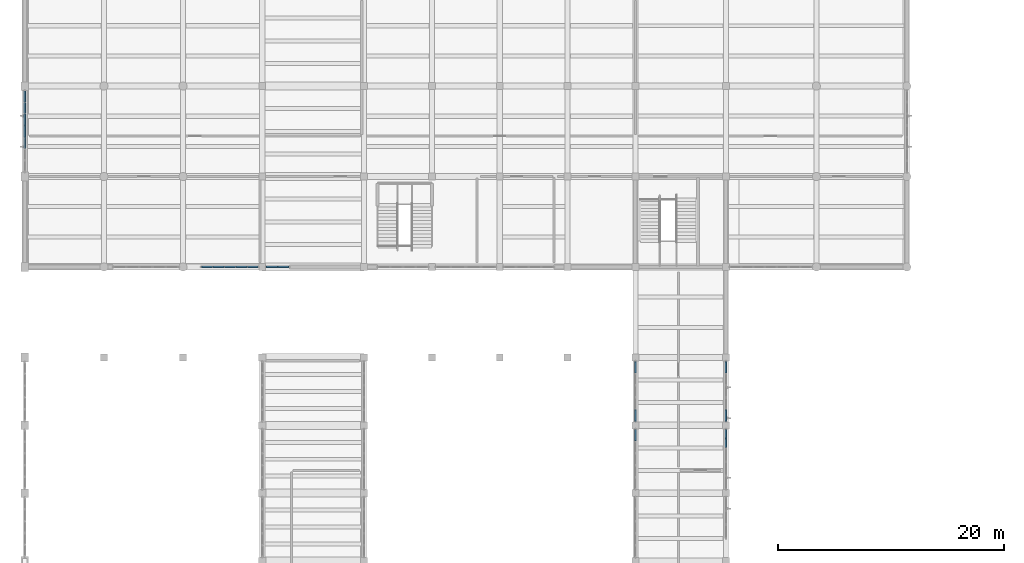
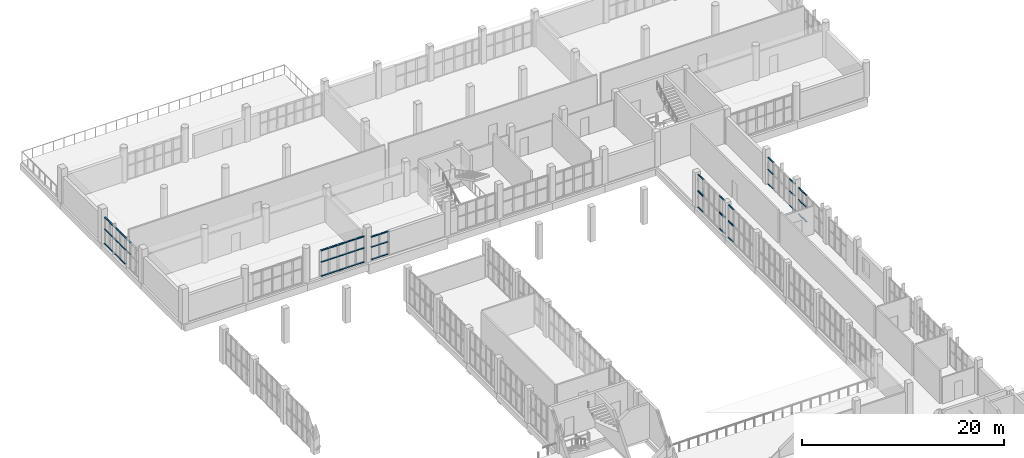
# One storey, part 40 of 85: 59 members, 9 elements without a shape of their own.
"""IFC4 building model written with IfcOpenShell, lengths in metres."""

from ifc_helpers import new_model, si_unit, direction, frame, origin, origin_2d, place, context, subcontext, project, spatial, rectangle, extrude, material, layer, layer_set, material_profile, profile_set, type_object, element, aggregate, save


model = new_model("IFC4")

# Units and contexts
model_context = context("Model", 3, precision=1e-05, world=origin(), true_north=direction((0.0, 1.0)))
body_context = subcontext(model_context, "Body", "Model", "MODEL_VIEW")
ifc_project = project(units=[si_unit("LENGTHUNIT", "METRE"), si_unit("AREAUNIT", "SQUARE_METRE"), si_unit("VOLUMEUNIT", "CUBIC_METRE"), si_unit("PLANEANGLEUNIT", "RADIAN"), si_unit("MASSUNIT", "GRAM", prefix="KILO")], contexts=[model_context])

# Site, building, storey
site_placement = place(None, origin())
site = spatial("IfcSite", under=ifc_project, at=site_placement, CompositionType="ELEMENT")
building_placement = place(site_placement, origin())
building = spatial("IfcBuilding", under=site, at=building_placement, Name="Solvane Community Centre", CompositionType="ELEMENT")
storey_placement = place(building_placement, frame((0.0, 0.0, 5.39990234375)))
storey = spatial("IfcBuildingStorey", under=building, at=storey_placement, Name="L01", CompositionType="ELEMENT", Elevation=5.39990234375)

# Curtain wall, members
ifc_material = material(Name="Anodised bronze aluminium AW-6063 T6", Category="aluminium")
ifc_layer_1 = layer(ifc_material, 0.18994140625)
ifc_layer_set_1 = layer_set([ifc_layer_1], Name="Anodised bronze aluminium AW-6063 T6")
curtain_wall_type_1 = type_object("IfcCurtainWallType", Name="Boulevard Bronze Vision Curtain Wall [72x32dm]", PredefinedType="NOTDEFINED", material=ifc_layer_set_1)
curtain_wall_1_placement = place(storey_placement, origin())
curtain_wall_1 = element("IfcCurtainWall", 1, at=curtain_wall_1_placement, inside=storey, type_object=curtain_wall_type_1, Name="Curtain Wall CW-L01-60_944-085", PredefinedType="NOTDEFINED")
ifc_material_profile_1 = material_profile(ifc_material, rectangle(XDim=0.14990234375, YDim=0.06005859375, at=origin_2d()), Name="CW-T 60x150")
ifc_profile_set_1 = profile_set([ifc_material_profile_1], Name="Anodised bronze aluminium AW-6063 T6")
member_type_1 = type_object("IfcMemberType", Name="Boulevard Transom 60x150", PredefinedType="USERDEFINED", material=ifc_profile_set_1)
member_1_placement = place(storey_placement, frame((6.0, 96.485107421875, 1.774169921875), z_axis=(0.0, 1.0, 0.0), x_axis=(-1.0, 0.0, 0.0)))
member_1 = element("IfcMember", 2, at=member_1_placement, type_object=member_type_1, Name="CW02-72x32 transom 3.2", ObjectType="TRANSOM", PredefinedType="USERDEFINED", context=body_context, shape_type="SweptSolid", body=[
    extrude(rectangle(XDim=0.14990234375, YDim=0.06005859375, at=origin_2d()), origin(), (0.0, 0.0, 1.0), 0.969970703125),
])
member_2_placement = place(storey_placement, frame((6.0, 96.485107421875, 3.195068359375), z_axis=(0.0, 1.0, 0.0), x_axis=(-1.0, 0.0, 0.0)))
member_2 = element("IfcMember", 3, at=member_2_placement, type_object=member_type_1, Name="CW02-72x32 transom 3.3", ObjectType="TRANSOM", PredefinedType="USERDEFINED", context=body_context, shape_type="SweptSolid", body=[
    extrude(rectangle(XDim=0.14990234375, YDim=0.06005859375, at=origin_2d()), origin(), (0.0, 0.0, 1.0), 0.969970703125),
])
member_3_placement = place(storey_placement, frame((6.0, 97.514892578125, 0.030029296875), z_axis=(0.0, 1.0, 0.0), x_axis=(-1.0, 0.0, 0.0)))
member_3 = element("IfcMember", 4, at=member_3_placement, type_object=member_type_1, Name="CW02-72x32 transom 4.1", ObjectType="TRANSOM", PredefinedType="USERDEFINED", context=body_context, shape_type="SweptSolid", body=[
    extrude(rectangle(XDim=0.14990234375, YDim=0.06005859375, at=origin_2d()), origin(), (0.0, 0.0, 1.0), 0.97021484375),
])
member_4_placement = place(storey_placement, frame((6.0, 97.514892578125, 1.774169921875), z_axis=(0.0, 1.0, 0.0), x_axis=(-1.0, 0.0, 0.0)))
member_4 = element("IfcMember", 5, at=member_4_placement, type_object=member_type_1, Name="CW02-72x32 transom 4.2", ObjectType="TRANSOM", PredefinedType="USERDEFINED", context=body_context, shape_type="SweptSolid", body=[
    extrude(rectangle(XDim=0.14990234375, YDim=0.06005859375, at=origin_2d()), origin(), (0.0, 0.0, 1.0), 0.97021484375),
])
member_5_placement = place(storey_placement, frame((6.0, 97.514892578125, 3.195068359375), z_axis=(0.0, 1.0, 0.0), x_axis=(-1.0, 0.0, 0.0)))
member_5 = element("IfcMember", 6, at=member_5_placement, type_object=member_type_1, Name="CW02-72x32 transom 4.3", ObjectType="TRANSOM", PredefinedType="USERDEFINED", context=body_context, shape_type="SweptSolid", body=[
    extrude(rectangle(XDim=0.14990234375, YDim=0.06005859375, at=origin_2d()), origin(), (0.0, 0.0, 1.0), 0.97021484375),
])
member_6_placement = place(storey_placement, frame((6.0, 98.544921875, 0.030029296875), z_axis=(0.0, 1.0, 0.0), x_axis=(-1.0, 0.0, 0.0)))
member_6 = element("IfcMember", 7, at=member_6_placement, type_object=member_type_1, Name="CW02-72x32 transom 5.1", ObjectType="TRANSOM", PredefinedType="USERDEFINED", context=body_context, shape_type="SweptSolid", body=[
    extrude(rectangle(XDim=0.14990234375, YDim=0.06005859375, at=origin_2d()), origin(), (0.0, 0.0, 1.0), 0.969970703125),
])
member_7_placement = place(storey_placement, frame((6.0, 98.544921875, 1.774169921875), z_axis=(0.0, 1.0, 0.0), x_axis=(-1.0, 0.0, 0.0)))
member_7 = element("IfcMember", 8, at=member_7_placement, type_object=member_type_1, Name="CW02-72x32 transom 5.2", ObjectType="TRANSOM", PredefinedType="USERDEFINED", context=body_context, shape_type="SweptSolid", body=[
    extrude(rectangle(XDim=0.14990234375, YDim=0.06005859375, at=origin_2d()), origin(), (0.0, 0.0, 1.0), 0.969970703125),
])
member_8_placement = place(storey_placement, frame((6.0, 98.544921875, 3.195068359375), z_axis=(0.0, 1.0, 0.0), x_axis=(-1.0, 0.0, 0.0)))
member_8 = element("IfcMember", 9, at=member_8_placement, type_object=member_type_1, Name="CW02-72x32 transom 5.3", ObjectType="TRANSOM", PredefinedType="USERDEFINED", context=body_context, shape_type="SweptSolid", body=[
    extrude(rectangle(XDim=0.14990234375, YDim=0.06005859375, at=origin_2d()), origin(), (0.0, 0.0, 1.0), 0.969970703125),
])
member_9_placement = place(storey_placement, frame((6.0, 99.574951171875, 0.030029296875), z_axis=(0.0, 1.0, 0.0), x_axis=(-1.0, 0.0, 0.0)))
member_9 = element("IfcMember", 10, at=member_9_placement, type_object=member_type_1, Name="CW02-72x32 transom 6.1", ObjectType="TRANSOM", PredefinedType="USERDEFINED", context=body_context, shape_type="SweptSolid", body=[
    extrude(rectangle(XDim=0.14990234375, YDim=0.06005859375, at=origin_2d()), origin(), (0.0, 0.0, 1.0), 0.969970703125),
])
member_10_placement = place(storey_placement, frame((6.0, 99.574951171875, 1.774169921875), z_axis=(0.0, 1.0, 0.0), x_axis=(-1.0, 0.0, 0.0)))
member_10 = element("IfcMember", 11, at=member_10_placement, type_object=member_type_1, Name="CW02-72x32 transom 6.2", ObjectType="TRANSOM", PredefinedType="USERDEFINED", context=body_context, shape_type="SweptSolid", body=[
    extrude(rectangle(XDim=0.14990234375, YDim=0.06005859375, at=origin_2d()), origin(), (0.0, 0.0, 1.0), 0.969970703125),
])
member_11_placement = place(storey_placement, frame((6.0, 99.574951171875, 3.195068359375), z_axis=(0.0, 1.0, 0.0), x_axis=(-1.0, 0.0, 0.0)))
member_11 = element("IfcMember", 12, at=member_11_placement, type_object=member_type_1, Name="CW02-72x32 transom 6.3", ObjectType="TRANSOM", PredefinedType="USERDEFINED", context=body_context, shape_type="SweptSolid", body=[
    extrude(rectangle(XDim=0.14990234375, YDim=0.06005859375, at=origin_2d()), origin(), (0.0, 0.0, 1.0), 0.969970703125),
])
member_12_placement = place(storey_placement, frame((6.0, 100.60498046875, 0.030029296875), z_axis=(0.0, 1.0, 0.0), x_axis=(-1.0, 0.0, 0.0)))
member_12 = element("IfcMember", 13, at=member_12_placement, type_object=member_type_1, Name="CW02-72x32 transom 7.1", ObjectType="TRANSOM", PredefinedType="USERDEFINED", context=body_context, shape_type="SweptSolid", body=[
    extrude(rectangle(XDim=0.14990234375, YDim=0.06005859375, at=origin_2d()), origin(), (0.0, 0.0, 1.0), 0.93994140625),
])
member_13_placement = place(storey_placement, frame((6.0, 100.60498046875, 1.774169921875), z_axis=(0.0, 1.0, 0.0), x_axis=(-1.0, 0.0, 0.0)))
member_13 = element("IfcMember", 14, at=member_13_placement, type_object=member_type_1, Name="CW02-72x32 transom 7.2", ObjectType="TRANSOM", PredefinedType="USERDEFINED", context=body_context, shape_type="SweptSolid", body=[
    extrude(rectangle(XDim=0.14990234375, YDim=0.06005859375, at=origin_2d()), origin(), (0.0, 0.0, 1.0), 0.93994140625),
])
member_14_placement = place(storey_placement, frame((6.0, 100.60498046875, 3.195068359375), z_axis=(0.0, 1.0, 0.0), x_axis=(-1.0, 0.0, 0.0)))
member_14 = element("IfcMember", 15, at=member_14_placement, type_object=member_type_1, Name="CW02-72x32 transom 7.3", ObjectType="TRANSOM", PredefinedType="USERDEFINED", context=body_context, shape_type="SweptSolid", body=[
    extrude(rectangle(XDim=0.14990234375, YDim=0.06005859375, at=origin_2d()), origin(), (0.0, 0.0, 1.0), 0.93994140625),
])
aggregate(curtain_wall_1, [member_1, member_2, member_3, member_4, member_5, member_6, member_7, member_8, member_9, member_10, member_11, member_12, member_13, member_14])

ifc_layer_2 = layer(ifc_material, 0.18994140625)
ifc_layer_set_2 = layer_set([ifc_layer_2], Name="Anodised bronze aluminium AW-6063 T6")
curtain_wall_type_2 = type_object("IfcCurtainWallType", Name="Boulevard Bronze Vision Curtain Wall [21x28dm]", PredefinedType="NOTDEFINED", material=ifc_layer_set_2)
curtain_wall_2_placement = place(storey_placement, origin())
curtain_wall_2 = element("IfcCurtainWall", 16, at=curtain_wall_2_placement, inside=storey, type_object=curtain_wall_type_2, Name="Curtain Wall CW-L01-294_860-100", PredefinedType="NOTDEFINED")
member_15_placement = place(storey_placement, frame((29.340087890625, 86.0, 0.030029296875), z_axis=(-1.0, 0.0, 0.0), x_axis=(0.0, -1.0, 0.0)))
member_15 = element("IfcMember", 17, at=member_15_placement, type_object=member_type_1, Name="CW02-21x28 transom 1.1", ObjectType="TRANSOM", PredefinedType="USERDEFINED", context=body_context, shape_type="SweptSolid", body=[
    extrude(rectangle(XDim=0.14990234375, YDim=0.06005859375, at=origin_2d()), origin(), (0.0, 0.0, 1.0), 0.95263671875),
])
member_16_placement = place(storey_placement, frame((29.340087890625, 86.0, 1.52099609375), z_axis=(-1.0, 0.0, 0.0), x_axis=(0.0, -1.0, 0.0)))
member_16 = element("IfcMember", 18, at=member_16_placement, type_object=member_type_1, Name="CW02-21x28 transom 1.2", ObjectType="TRANSOM", PredefinedType="USERDEFINED", context=body_context, shape_type="SweptSolid", body=[
    extrude(rectangle(XDim=0.14990234375, YDim=0.06005859375, at=origin_2d()), origin(), (0.0, 0.0, 1.0), 0.95263671875),
])
member_17_placement = place(storey_placement, frame((29.340087890625, 86.0, 2.735107421875), z_axis=(-1.0, 0.0, 0.0), x_axis=(0.0, -1.0, 0.0)))
member_17 = element("IfcMember", 19, at=member_17_placement, type_object=member_type_1, Name="CW02-21x28 transom 1.3", ObjectType="TRANSOM", PredefinedType="USERDEFINED", context=body_context, shape_type="SweptSolid", body=[
    extrude(rectangle(XDim=0.14990234375, YDim=0.06005859375, at=origin_2d()), origin(), (0.0, 0.0, 1.0), 0.95263671875),
])
member_18_placement = place(storey_placement, frame((28.327392578125, 86.0, 0.030029296875), z_axis=(-1.0, 0.0, 0.0), x_axis=(0.0, -1.0, 0.0)))
member_18 = element("IfcMember", 20, at=member_18_placement, type_object=member_type_1, Name="CW02-21x28 transom 2.1", ObjectType="TRANSOM", PredefinedType="USERDEFINED", context=body_context, shape_type="SweptSolid", body=[
    extrude(rectangle(XDim=0.14990234375, YDim=0.06005859375, at=origin_2d()), origin(), (0.0, 0.0, 1.0), 0.952392578125),
])
member_19_placement = place(storey_placement, frame((28.327392578125, 86.0, 1.52099609375), z_axis=(-1.0, 0.0, 0.0), x_axis=(0.0, -1.0, 0.0)))
member_19 = element("IfcMember", 21, at=member_19_placement, type_object=member_type_1, Name="CW02-21x28 transom 2.2", ObjectType="TRANSOM", PredefinedType="USERDEFINED", context=body_context, shape_type="SweptSolid", body=[
    extrude(rectangle(XDim=0.14990234375, YDim=0.06005859375, at=origin_2d()), origin(), (0.0, 0.0, 1.0), 0.952392578125),
])
member_20_placement = place(storey_placement, frame((28.327392578125, 86.0, 2.735107421875), z_axis=(-1.0, 0.0, 0.0), x_axis=(0.0, -1.0, 0.0)))
member_20 = element("IfcMember", 22, at=member_20_placement, type_object=member_type_1, Name="CW02-21x28 transom 2.3", ObjectType="TRANSOM", PredefinedType="USERDEFINED", context=body_context, shape_type="SweptSolid", body=[
    extrude(rectangle(XDim=0.14990234375, YDim=0.06005859375, at=origin_2d()), origin(), (0.0, 0.0, 1.0), 0.952392578125),
])
aggregate(curtain_wall_2, [member_15, member_16, member_17, member_18, member_19, member_20])

ifc_layer_3 = layer(ifc_material, 0.18994140625)
ifc_layer_set_3 = layer_set([ifc_layer_3], Name="Anodised bronze aluminium AW-6063 T6")
curtain_wall_type_3 = type_object("IfcCurtainWallType", Name="Boulevard Bronze Vision Curtain Wall [51x31dm]", PredefinedType="NOTDEFINED", material=ifc_layer_set_3)
curtain_wall_3_placement = place(storey_placement, origin())
curtain_wall_3 = element("IfcCurtainWall", 23, at=curtain_wall_3_placement, inside=storey, type_object=curtain_wall_type_3, Name="Curtain Wall CW-L01-267_860-101", PredefinedType="NOTDEFINED")
member_21_placement = place(storey_placement, frame((26.625, 86.0, 0.030029296875), z_axis=(-1.0, 0.0, 0.0), x_axis=(0.0, -1.0, 0.0)))
member_21 = element("IfcMember", 24, at=member_21_placement, type_object=member_type_1, Name="CW02-51x31 transom 1.1", ObjectType="TRANSOM", PredefinedType="USERDEFINED", context=body_context, shape_type="SweptSolid", body=[
    extrude(rectangle(XDim=0.14990234375, YDim=0.06005859375, at=origin_2d()), origin(), (0.0, 0.0, 1.0), 0.927001953125),
])
member_22_placement = place(storey_placement, frame((26.625, 86.0, 1.72412109375), z_axis=(-1.0, 0.0, 0.0), x_axis=(0.0, -1.0, 0.0)))
member_22 = element("IfcMember", 25, at=member_22_placement, type_object=member_type_1, Name="CW02-51x31 transom 1.2", ObjectType="TRANSOM", PredefinedType="USERDEFINED", context=body_context, shape_type="SweptSolid", body=[
    extrude(rectangle(XDim=0.14990234375, YDim=0.06005859375, at=origin_2d()), origin(), (0.0, 0.0, 1.0), 0.927001953125),
])
member_23_placement = place(storey_placement, frame((26.625, 86.0, 3.10498046875), z_axis=(-1.0, 0.0, 0.0), x_axis=(0.0, -1.0, 0.0)))
member_23 = element("IfcMember", 26, at=member_23_placement, type_object=member_type_1, Name="CW02-51x31 transom 1.3", ObjectType="TRANSOM", PredefinedType="USERDEFINED", context=body_context, shape_type="SweptSolid", body=[
    extrude(rectangle(XDim=0.14990234375, YDim=0.06005859375, at=origin_2d()), origin(), (0.0, 0.0, 1.0), 0.927001953125),
])
member_24_placement = place(storey_placement, frame((25.637939453125, 86.0, 0.030029296875), z_axis=(-1.0, 0.0, 0.0), x_axis=(0.0, -1.0, 0.0)))
member_24 = element("IfcMember", 27, at=member_24_placement, type_object=member_type_1, Name="CW02-51x31 transom 2.1", ObjectType="TRANSOM", PredefinedType="USERDEFINED", context=body_context, shape_type="SweptSolid", body=[
    extrude(rectangle(XDim=0.14990234375, YDim=0.06005859375, at=origin_2d()), origin(), (0.0, 0.0, 1.0), 0.95703125),
])
member_25_placement = place(storey_placement, frame((25.637939453125, 86.0, 1.72412109375), z_axis=(-1.0, 0.0, 0.0), x_axis=(0.0, -1.0, 0.0)))
member_25 = element("IfcMember", 28, at=member_25_placement, type_object=member_type_1, Name="CW02-51x31 transom 2.2", ObjectType="TRANSOM", PredefinedType="USERDEFINED", context=body_context, shape_type="SweptSolid", body=[
    extrude(rectangle(XDim=0.14990234375, YDim=0.06005859375, at=origin_2d()), origin(), (0.0, 0.0, 1.0), 0.95703125),
])
member_26_placement = place(storey_placement, frame((25.637939453125, 86.0, 3.10498046875), z_axis=(-1.0, 0.0, 0.0), x_axis=(0.0, -1.0, 0.0)))
member_26 = element("IfcMember", 29, at=member_26_placement, type_object=member_type_1, Name="CW02-51x31 transom 2.3", ObjectType="TRANSOM", PredefinedType="USERDEFINED", context=body_context, shape_type="SweptSolid", body=[
    extrude(rectangle(XDim=0.14990234375, YDim=0.06005859375, at=origin_2d()), origin(), (0.0, 0.0, 1.0), 0.95703125),
])
member_27_placement = place(storey_placement, frame((24.62109375, 86.0, 0.030029296875), z_axis=(-1.0, 0.0, 0.0), x_axis=(0.0, -1.0, 0.0)))
member_27 = element("IfcMember", 30, at=member_27_placement, type_object=member_type_1, Name="CW02-51x31 transom 3.1", ObjectType="TRANSOM", PredefinedType="USERDEFINED", context=body_context, shape_type="SweptSolid", body=[
    extrude(rectangle(XDim=0.14990234375, YDim=0.06005859375, at=origin_2d()), origin(), (0.0, 0.0, 1.0), 0.95703125),
])
member_28_placement = place(storey_placement, frame((24.62109375, 86.0, 1.72412109375), z_axis=(-1.0, 0.0, 0.0), x_axis=(0.0, -1.0, 0.0)))
member_28 = element("IfcMember", 31, at=member_28_placement, type_object=member_type_1, Name="CW02-51x31 transom 3.2", ObjectType="TRANSOM", PredefinedType="USERDEFINED", context=body_context, shape_type="SweptSolid", body=[
    extrude(rectangle(XDim=0.14990234375, YDim=0.06005859375, at=origin_2d()), origin(), (0.0, 0.0, 1.0), 0.95703125),
])
member_29_placement = place(storey_placement, frame((24.62109375, 86.0, 3.10498046875), z_axis=(-1.0, 0.0, 0.0), x_axis=(0.0, -1.0, 0.0)))
member_29 = element("IfcMember", 32, at=member_29_placement, type_object=member_type_1, Name="CW02-51x31 transom 3.3", ObjectType="TRANSOM", PredefinedType="USERDEFINED", context=body_context, shape_type="SweptSolid", body=[
    extrude(rectangle(XDim=0.14990234375, YDim=0.06005859375, at=origin_2d()), origin(), (0.0, 0.0, 1.0), 0.95703125),
])
member_30_placement = place(storey_placement, frame((23.60400390625, 86.0, 0.030029296875), z_axis=(-1.0, 0.0, 0.0), x_axis=(0.0, -1.0, 0.0)))
member_30 = element("IfcMember", 33, at=member_30_placement, type_object=member_type_1, Name="CW02-51x31 transom 4.1", ObjectType="TRANSOM", PredefinedType="USERDEFINED", context=body_context, shape_type="SweptSolid", body=[
    extrude(rectangle(XDim=0.14990234375, YDim=0.06005859375, at=origin_2d()), origin(), (0.0, 0.0, 1.0), 0.95703125),
])
member_31_placement = place(storey_placement, frame((23.60400390625, 86.0, 1.72412109375), z_axis=(-1.0, 0.0, 0.0), x_axis=(0.0, -1.0, 0.0)))
member_31 = element("IfcMember", 34, at=member_31_placement, type_object=member_type_1, Name="CW02-51x31 transom 4.2", ObjectType="TRANSOM", PredefinedType="USERDEFINED", context=body_context, shape_type="SweptSolid", body=[
    extrude(rectangle(XDim=0.14990234375, YDim=0.06005859375, at=origin_2d()), origin(), (0.0, 0.0, 1.0), 0.95703125),
])
member_32_placement = place(storey_placement, frame((23.60400390625, 86.0, 3.10498046875), z_axis=(-1.0, 0.0, 0.0), x_axis=(0.0, -1.0, 0.0)))
member_32 = element("IfcMember", 35, at=member_32_placement, type_object=member_type_1, Name="CW02-51x31 transom 4.3", ObjectType="TRANSOM", PredefinedType="USERDEFINED", context=body_context, shape_type="SweptSolid", body=[
    extrude(rectangle(XDim=0.14990234375, YDim=0.06005859375, at=origin_2d()), origin(), (0.0, 0.0, 1.0), 0.95703125),
])
member_33_placement = place(storey_placement, frame((22.5869140625, 86.0, 0.030029296875), z_axis=(-1.0, 0.0, 0.0), x_axis=(0.0, -1.0, 0.0)))
member_33 = element("IfcMember", 36, at=member_33_placement, type_object=member_type_1, Name="CW02-51x31 transom 5.1", ObjectType="TRANSOM", PredefinedType="USERDEFINED", context=body_context, shape_type="SweptSolid", body=[
    extrude(rectangle(XDim=0.14990234375, YDim=0.06005859375, at=origin_2d()), origin(), (0.0, 0.0, 1.0), 0.927001953125),
])
member_34_placement = place(storey_placement, frame((22.5869140625, 86.0, 1.72412109375), z_axis=(-1.0, 0.0, 0.0), x_axis=(0.0, -1.0, 0.0)))
member_34 = element("IfcMember", 37, at=member_34_placement, type_object=member_type_1, Name="CW02-51x31 transom 5.2", ObjectType="TRANSOM", PredefinedType="USERDEFINED", context=body_context, shape_type="SweptSolid", body=[
    extrude(rectangle(XDim=0.14990234375, YDim=0.06005859375, at=origin_2d()), origin(), (0.0, 0.0, 1.0), 0.927001953125),
])
member_35_placement = place(storey_placement, frame((22.5869140625, 86.0, 3.10498046875), z_axis=(-1.0, 0.0, 0.0), x_axis=(0.0, -1.0, 0.0)))
member_35 = element("IfcMember", 38, at=member_35_placement, type_object=member_type_1, Name="CW02-51x31 transom 5.3", ObjectType="TRANSOM", PredefinedType="USERDEFINED", context=body_context, shape_type="SweptSolid", body=[
    extrude(rectangle(XDim=0.14990234375, YDim=0.06005859375, at=origin_2d()), origin(), (0.0, 0.0, 1.0), 0.927001953125),
])
aggregate(curtain_wall_3, [member_21, member_22, member_23, member_24, member_25, member_26, member_27, member_28, member_29, member_30, member_31, member_32, member_33, member_34, member_35])

ifc_layer_4 = layer(ifc_material, 0.18994140625)
ifc_layer_set_4 = layer_set([ifc_layer_4], Name="Anodised bronze aluminium AW-6063 T6")
curtain_wall_type_4 = type_object("IfcCurtainWallType", Name="Boulevard Bronze Vision Curtain Wall [54x32dm]", PredefinedType="NOTDEFINED", material=ifc_layer_set_4)
curtain_wall_4_placement = place(storey_placement, origin())
curtain_wall_4 = element("IfcCurtainWall", 39, at=curtain_wall_4_placement, inside=storey, type_object=curtain_wall_type_4, Name="Curtain Wall CW-L01-680_777-103", PredefinedType="NOTDEFINED")
member_36_placement = place(storey_placement, frame((68.0, 77.6201171875, 0.030029296875), z_axis=(0.0, -1.0, 0.0), x_axis=(1.0, 0.0, 0.0)))
member_36 = element("IfcMember", 40, at=member_36_placement, type_object=member_type_1, Name="CW02-54x32 transom 1.1", ObjectType="TRANSOM", PredefinedType="USERDEFINED", context=body_context, shape_type="SweptSolid", body=[
    extrude(rectangle(XDim=0.14990234375, YDim=0.06005859375, at=origin_2d()), origin(), (0.0, 0.0, 1.0), 0.982177734375),
])
member_37_placement = place(storey_placement, frame((68.0, 77.6201171875, 1.78515625), z_axis=(0.0, -1.0, 0.0), x_axis=(1.0, 0.0, 0.0)))
member_37 = element("IfcMember", 41, at=member_37_placement, type_object=member_type_1, Name="CW02-54x32 transom 1.2", ObjectType="TRANSOM", PredefinedType="USERDEFINED", context=body_context, shape_type="SweptSolid", body=[
    extrude(rectangle(XDim=0.14990234375, YDim=0.06005859375, at=origin_2d()), origin(), (0.0, 0.0, 1.0), 0.982177734375),
])
member_38_placement = place(storey_placement, frame((68.0, 77.6201171875, 3.215087890625), z_axis=(0.0, -1.0, 0.0), x_axis=(1.0, 0.0, 0.0)))
member_38 = element("IfcMember", 42, at=member_38_placement, type_object=member_type_1, Name="CW02-54x32 transom 1.3", ObjectType="TRANSOM", PredefinedType="USERDEFINED", context=body_context, shape_type="SweptSolid", body=[
    extrude(rectangle(XDim=0.14990234375, YDim=0.06005859375, at=origin_2d()), origin(), (0.0, 0.0, 1.0), 0.982177734375),
])
member_39_placement = place(storey_placement, frame((68.0, 73.362060546875, 0.030029296875), z_axis=(0.0, -1.0, 0.0), x_axis=(1.0, 0.0, 0.0)))
member_39 = element("IfcMember", 43, at=member_39_placement, type_object=member_type_1, Name="CW02-54x32 transom 5.1", ObjectType="TRANSOM", PredefinedType="USERDEFINED", context=body_context, shape_type="SweptSolid", body=[
    extrude(rectangle(XDim=0.14990234375, YDim=0.06005859375, at=origin_2d()), origin(), (0.0, 0.0, 1.0), 0.982177734375),
])
member_40_placement = place(storey_placement, frame((68.0, 73.362060546875, 1.78515625), z_axis=(0.0, -1.0, 0.0), x_axis=(1.0, 0.0, 0.0)))
member_40 = element("IfcMember", 44, at=member_40_placement, type_object=member_type_1, Name="CW02-54x32 transom 5.2", ObjectType="TRANSOM", PredefinedType="USERDEFINED", context=body_context, shape_type="SweptSolid", body=[
    extrude(rectangle(XDim=0.14990234375, YDim=0.06005859375, at=origin_2d()), origin(), (0.0, 0.0, 1.0), 0.982177734375),
])
member_41_placement = place(storey_placement, frame((68.0, 73.362060546875, 3.215087890625), z_axis=(0.0, -1.0, 0.0), x_axis=(1.0, 0.0, 0.0)))
member_41 = element("IfcMember", 45, at=member_41_placement, type_object=member_type_1, Name="CW02-54x32 transom 5.3", ObjectType="TRANSOM", PredefinedType="USERDEFINED", context=body_context, shape_type="SweptSolid", body=[
    extrude(rectangle(XDim=0.14990234375, YDim=0.06005859375, at=origin_2d()), origin(), (0.0, 0.0, 1.0), 0.982177734375),
])
aggregate(curtain_wall_4, [member_36, member_37, member_38, member_39, member_40, member_41])

ifc_layer_5 = layer(ifc_material, 0.18994140625)
ifc_layer_set_5 = layer_set([ifc_layer_5], Name="Anodised bronze aluminium AW-6063 T6")
curtain_wall_type_5 = type_object("IfcCurtainWallType", Name="Boulevard Bronze Vision Curtain Wall [17x32dm]", PredefinedType="NOTDEFINED", material=ifc_layer_set_5)
curtain_wall_5_placement = place(storey_placement, origin())
curtain_wall_5 = element("IfcCurtainWall", 46, at=curtain_wall_5_placement, inside=storey, type_object=curtain_wall_type_5, Name="Curtain Wall CW-L01-680_717-104", PredefinedType="NOTDEFINED")
member_42_placement = place(storey_placement, frame((68.0, 71.6201171875, 0.030029296875), z_axis=(0.0, -1.0, 0.0), x_axis=(1.0, 0.0, 0.0)))
member_42 = element("IfcMember", 47, at=member_42_placement, type_object=member_type_1, Name="CW02-17x32 transom 1.1", ObjectType="TRANSOM", PredefinedType="USERDEFINED", context=body_context, shape_type="SweptSolid", body=[
    extrude(rectangle(XDim=0.14990234375, YDim=0.06005859375, at=origin_2d()), origin(), (0.0, 0.0, 1.0), 0.75),
])
member_43_placement = place(storey_placement, frame((68.0, 71.6201171875, 1.78515625), z_axis=(0.0, -1.0, 0.0), x_axis=(1.0, 0.0, 0.0)))
member_43 = element("IfcMember", 48, at=member_43_placement, type_object=member_type_1, Name="CW02-17x32 transom 1.2", ObjectType="TRANSOM", PredefinedType="USERDEFINED", context=body_context, shape_type="SweptSolid", body=[
    extrude(rectangle(XDim=0.14990234375, YDim=0.06005859375, at=origin_2d()), origin(), (0.0, 0.0, 1.0), 0.75),
])
member_44_placement = place(storey_placement, frame((68.0, 71.6201171875, 3.215087890625), z_axis=(0.0, -1.0, 0.0), x_axis=(1.0, 0.0, 0.0)))
member_44 = element("IfcMember", 49, at=member_44_placement, type_object=member_type_1, Name="CW02-17x32 transom 1.3", ObjectType="TRANSOM", PredefinedType="USERDEFINED", context=body_context, shape_type="SweptSolid", body=[
    extrude(rectangle(XDim=0.14990234375, YDim=0.06005859375, at=origin_2d()), origin(), (0.0, 0.0, 1.0), 0.75),
])
member_45_placement = place(storey_placement, frame((68.0, 70.81005859375, 0.030029296875), z_axis=(0.0, -1.0, 0.0), x_axis=(1.0, 0.0, 0.0)))
member_45 = element("IfcMember", 50, at=member_45_placement, type_object=member_type_1, Name="CW02-17x32 transom 2.1", ObjectType="TRANSOM", PredefinedType="USERDEFINED", context=body_context, shape_type="SweptSolid", body=[
    extrude(rectangle(XDim=0.14990234375, YDim=0.06005859375, at=origin_2d()), origin(), (0.0, 0.0, 1.0), 0.75),
])
member_46_placement = place(storey_placement, frame((68.0, 70.81005859375, 1.78515625), z_axis=(0.0, -1.0, 0.0), x_axis=(1.0, 0.0, 0.0)))
member_46 = element("IfcMember", 51, at=member_46_placement, type_object=member_type_1, Name="CW02-17x32 transom 2.2", ObjectType="TRANSOM", PredefinedType="USERDEFINED", context=body_context, shape_type="SweptSolid", body=[
    extrude(rectangle(XDim=0.14990234375, YDim=0.06005859375, at=origin_2d()), origin(), (0.0, 0.0, 1.0), 0.75),
])
member_47_placement = place(storey_placement, frame((68.0, 70.81005859375, 3.215087890625), z_axis=(0.0, -1.0, 0.0), x_axis=(1.0, 0.0, 0.0)))
member_47 = element("IfcMember", 52, at=member_47_placement, type_object=member_type_1, Name="CW02-17x32 transom 2.3", ObjectType="TRANSOM", PredefinedType="USERDEFINED", context=body_context, shape_type="SweptSolid", body=[
    extrude(rectangle(XDim=0.14990234375, YDim=0.06005859375, at=origin_2d()), origin(), (0.0, 0.0, 1.0), 0.75),
])
aggregate(curtain_wall_5, [member_42, member_43, member_44, member_45, member_46, member_47])

ifc_layer_6 = layer(ifc_material, 0.179931640625)
ifc_layer_set_6 = layer_set([ifc_layer_6], Name="Anodised bronze aluminium AW-6063 T6")
curtain_wall_type_6 = type_object("IfcCurtainWallType", Name="Hall Translucent Upper Curtain Wall [54x19dm]", PredefinedType="NOTDEFINED", material=ifc_layer_set_6)
curtain_wall_6_placement = place(storey_placement, origin())
curtain_wall_6 = element("IfcCurtainWall", 53, at=curtain_wall_6_placement, inside=storey, type_object=curtain_wall_type_6, Name="Curtain Wall CW-L01-600_717-059", PredefinedType="NOTDEFINED")
ifc_material_profile_2 = material_profile(ifc_material, rectangle(XDim=0.139892578125, YDim=0.06005859375, at=origin_2d()), Name="CW-T 60x140")
ifc_profile_set_2 = profile_set([ifc_material_profile_2], Name="Anodised bronze aluminium AW-6063 T6")
member_type_2 = type_object("IfcMemberType", Name="Hall Transom 60x140", PredefinedType="USERDEFINED", material=ifc_profile_set_2)
member_48_placement = place(storey_placement, frame((60.0, 71.6201171875, 0.030029296875), z_axis=(0.0, -1.0, 0.0), x_axis=(1.0, 0.0, 0.0)))
member_48 = element("IfcMember", 54, at=member_48_placement, type_object=member_type_2, Name="CW01-54x19 transom 1.1", ObjectType="TRANSOM", PredefinedType="USERDEFINED", context=body_context, shape_type="SweptSolid", body=[
    extrude(rectangle(XDim=0.139892578125, YDim=0.06005859375, at=origin_2d()), origin(), (0.0, 0.0, 1.0), 0.982177734375),
])
member_49_placement = place(storey_placement, frame((60.0, 71.6201171875, 1.920166015625), z_axis=(0.0, -1.0, 0.0), x_axis=(1.0, 0.0, 0.0)))
member_49 = element("IfcMember", 55, at=member_49_placement, type_object=member_type_2, Name="CW01-54x19 transom 1.2", ObjectType="TRANSOM", PredefinedType="USERDEFINED", context=body_context, shape_type="SweptSolid", body=[
    extrude(rectangle(XDim=0.139892578125, YDim=0.06005859375, at=origin_2d()), origin(), (0.0, 0.0, 1.0), 0.982177734375),
])
aggregate(curtain_wall_6, [member_48, member_49])

ifc_layer_7 = layer(ifc_material, 0.179931640625)
ifc_layer_set_7 = layer_set([ifc_layer_7], Name="Anodised bronze aluminium AW-6063 T6")
curtain_wall_type_7 = type_object("IfcCurtainWallType", Name="Hall Translucent Upper Curtain Wall [54x20dm]", PredefinedType="NOTDEFINED", material=ifc_layer_set_7)
curtain_wall_7_placement = place(storey_placement, origin())
curtain_wall_7 = element("IfcCurtainWall", 56, at=curtain_wall_7_placement, inside=storey, type_object=curtain_wall_type_7, Name="Curtain Wall CW-L01-600_717-060", PredefinedType="NOTDEFINED")
member_50_placement = place(storey_placement, frame((60.0, 71.6201171875, 2.050048828125), z_axis=(0.0, -1.0, 0.0), x_axis=(1.0, 0.0, 0.0)))
member_50 = element("IfcMember", 57, at=member_50_placement, type_object=member_type_2, Name="CW01-54x20 transom 1.1", ObjectType="TRANSOM", PredefinedType="USERDEFINED", context=body_context, shape_type="SweptSolid", body=[
    extrude(rectangle(XDim=0.139892578125, YDim=0.06005859375, at=origin_2d()), origin(), (0.0, 0.0, 1.0), 0.982177734375),
])
member_51_placement = place(storey_placement, frame((60.0, 71.6201171875, 3.9501953125), z_axis=(0.0, -1.0, 0.0), x_axis=(1.0, 0.0, 0.0)))
member_51 = element("IfcMember", 58, at=member_51_placement, type_object=member_type_2, Name="CW01-54x20 transom 1.2", ObjectType="TRANSOM", PredefinedType="USERDEFINED", context=body_context, shape_type="SweptSolid", body=[
    extrude(rectangle(XDim=0.139892578125, YDim=0.06005859375, at=origin_2d()), origin(), (0.0, 0.0, 1.0), 0.982177734375),
])
aggregate(curtain_wall_7, [member_50, member_51])

curtain_wall_8_placement = place(storey_placement, origin())
curtain_wall_8 = element("IfcCurtainWall", 59, at=curtain_wall_8_placement, inside=storey, type_object=curtain_wall_type_6, Name="Curtain Wall CW-L01-600_777-067", PredefinedType="NOTDEFINED")
member_52_placement = place(storey_placement, frame((60.0, 77.6201171875, 0.030029296875), z_axis=(0.0, -1.0, 0.0), x_axis=(1.0, 0.0, 0.0)))
member_52 = element("IfcMember", 60, at=member_52_placement, type_object=member_type_2, Name="CW01-54x19 transom 1.1", ObjectType="TRANSOM", PredefinedType="USERDEFINED", context=body_context, shape_type="SweptSolid", body=[
    extrude(rectangle(XDim=0.139892578125, YDim=0.06005859375, at=origin_2d()), origin(), (0.0, 0.0, 1.0), 0.982177734375),
])
member_53_placement = place(storey_placement, frame((60.0, 77.6201171875, 1.920166015625), z_axis=(0.0, -1.0, 0.0), x_axis=(1.0, 0.0, 0.0)))
member_53 = element("IfcMember", 61, at=member_53_placement, type_object=member_type_2, Name="CW01-54x19 transom 1.2", ObjectType="TRANSOM", PredefinedType="USERDEFINED", context=body_context, shape_type="SweptSolid", body=[
    extrude(rectangle(XDim=0.139892578125, YDim=0.06005859375, at=origin_2d()), origin(), (0.0, 0.0, 1.0), 0.982177734375),
])
member_54_placement = place(storey_placement, frame((60.0, 73.362060546875, 0.030029296875), z_axis=(0.0, -1.0, 0.0), x_axis=(1.0, 0.0, 0.0)))
member_54 = element("IfcMember", 62, at=member_54_placement, type_object=member_type_2, Name="CW01-54x19 transom 5.1", ObjectType="TRANSOM", PredefinedType="USERDEFINED", context=body_context, shape_type="SweptSolid", body=[
    extrude(rectangle(XDim=0.139892578125, YDim=0.06005859375, at=origin_2d()), origin(), (0.0, 0.0, 1.0), 0.982177734375),
])
member_55_placement = place(storey_placement, frame((60.0, 73.362060546875, 1.920166015625), z_axis=(0.0, -1.0, 0.0), x_axis=(1.0, 0.0, 0.0)))
member_55 = element("IfcMember", 63, at=member_55_placement, type_object=member_type_2, Name="CW01-54x19 transom 5.2", ObjectType="TRANSOM", PredefinedType="USERDEFINED", context=body_context, shape_type="SweptSolid", body=[
    extrude(rectangle(XDim=0.139892578125, YDim=0.06005859375, at=origin_2d()), origin(), (0.0, 0.0, 1.0), 0.982177734375),
])
aggregate(curtain_wall_8, [member_52, member_53, member_54, member_55])

curtain_wall_9_placement = place(storey_placement, origin())
curtain_wall_9 = element("IfcCurtainWall", 64, at=curtain_wall_9_placement, inside=storey, type_object=curtain_wall_type_7, Name="Curtain Wall CW-L01-600_777-068", PredefinedType="NOTDEFINED")
member_56_placement = place(storey_placement, frame((60.0, 77.6201171875, 2.050048828125), z_axis=(0.0, -1.0, 0.0), x_axis=(1.0, 0.0, 0.0)))
member_56 = element("IfcMember", 65, at=member_56_placement, type_object=member_type_2, Name="CW01-54x20 transom 1.1", ObjectType="TRANSOM", PredefinedType="USERDEFINED", context=body_context, shape_type="SweptSolid", body=[
    extrude(rectangle(XDim=0.139892578125, YDim=0.06005859375, at=origin_2d()), origin(), (0.0, 0.0, 1.0), 0.982177734375),
])
member_57_placement = place(storey_placement, frame((60.0, 77.6201171875, 3.9501953125), z_axis=(0.0, -1.0, 0.0), x_axis=(1.0, 0.0, 0.0)))
member_57 = element("IfcMember", 66, at=member_57_placement, type_object=member_type_2, Name="CW01-54x20 transom 1.2", ObjectType="TRANSOM", PredefinedType="USERDEFINED", context=body_context, shape_type="SweptSolid", body=[
    extrude(rectangle(XDim=0.139892578125, YDim=0.06005859375, at=origin_2d()), origin(), (0.0, 0.0, 1.0), 0.982177734375),
])
member_58_placement = place(storey_placement, frame((60.0, 73.362060546875, 2.050048828125), z_axis=(0.0, -1.0, 0.0), x_axis=(1.0, 0.0, 0.0)))
member_58 = element("IfcMember", 67, at=member_58_placement, type_object=member_type_2, Name="CW01-54x20 transom 5.1", ObjectType="TRANSOM", PredefinedType="USERDEFINED", context=body_context, shape_type="SweptSolid", body=[
    extrude(rectangle(XDim=0.139892578125, YDim=0.06005859375, at=origin_2d()), origin(), (0.0, 0.0, 1.0), 0.982177734375),
])
member_59_placement = place(storey_placement, frame((60.0, 73.362060546875, 3.9501953125), z_axis=(0.0, -1.0, 0.0), x_axis=(1.0, 0.0, 0.0)))
member_59 = element("IfcMember", 68, at=member_59_placement, type_object=member_type_2, Name="CW01-54x20 transom 5.2", ObjectType="TRANSOM", PredefinedType="USERDEFINED", context=body_context, shape_type="SweptSolid", body=[
    extrude(rectangle(XDim=0.139892578125, YDim=0.06005859375, at=origin_2d()), origin(), (0.0, 0.0, 1.0), 0.982177734375),
])
aggregate(curtain_wall_9, [member_56, member_57, member_58, member_59])

save(model, "model.ifc")
